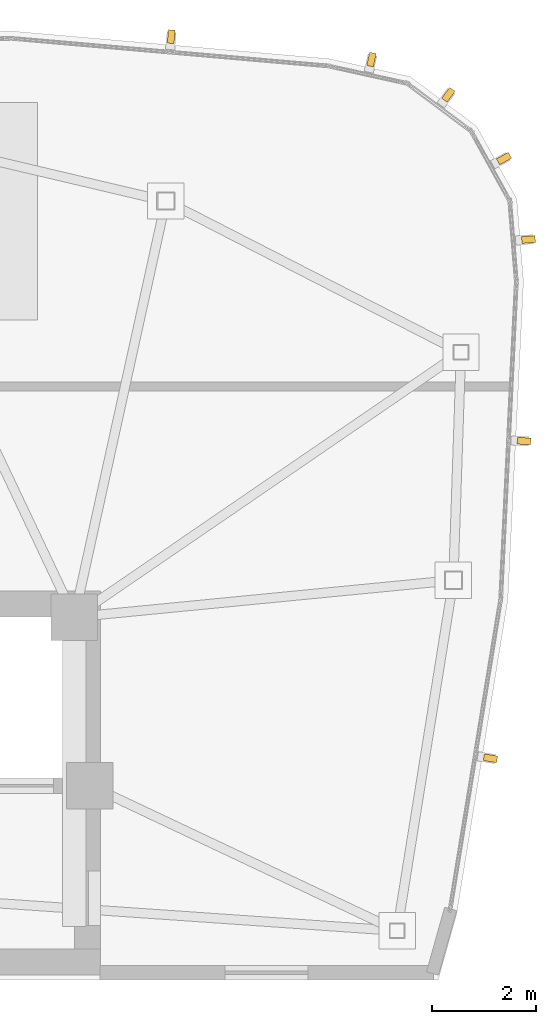
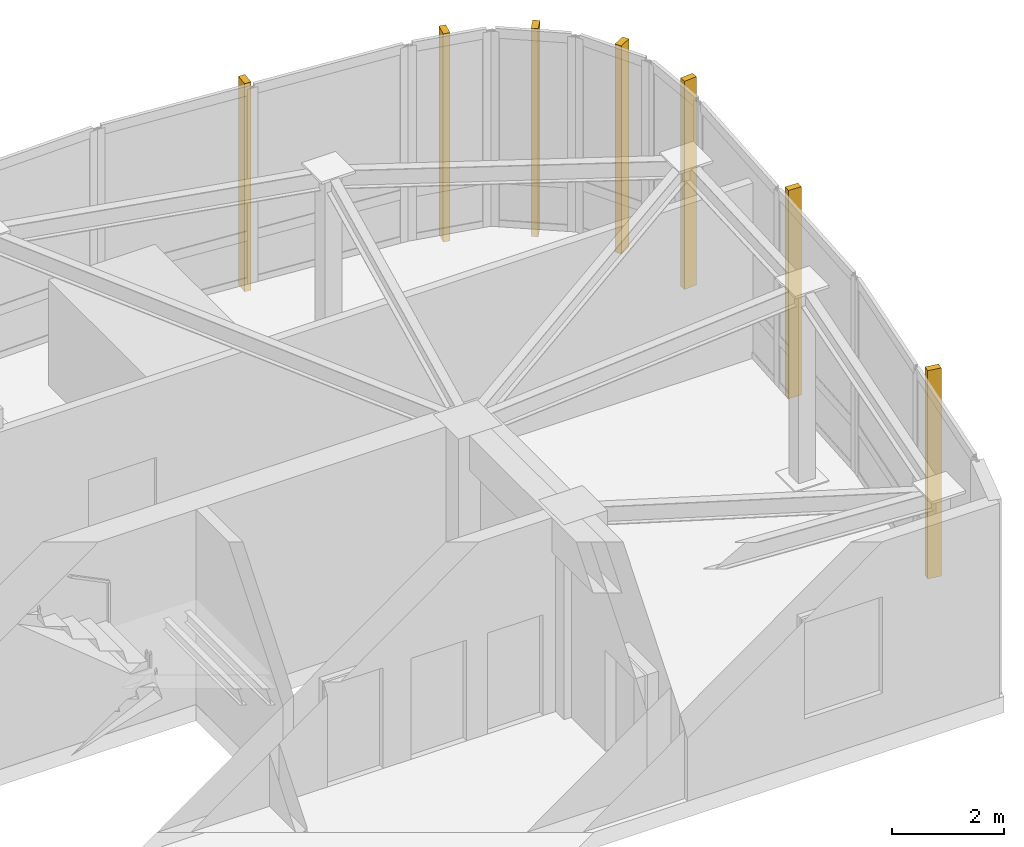
# One storey, part 9 of 10: 7 shading devices.
"""IFC4 building model written with IfcOpenShell, lengths in metres."""

import ifcopenshell
import ifcopenshell.guid

model = None  # the IFC model being written
_history = None  # IfcOwnerHistory: only IFC2X3 demands one
_inside = {}  # id of a spatial element -> (the spatial element, [elements in it])
_under = {}  # id of a project, library or spatial element -> (it, [spatial elements below it])
_declared = {}  # id of a project -> (the project, [libraries it declares])
_typed = {}  # id of a type object -> (the type object, [elements of that type])
_made_of = {}  # id of a material, layer set ... -> (it, [elements and type objects made of it])


def new_model(schema):
    """Start an empty IFC model of exactly this schema.

    Asked for "IFC4X3", IfcOpenShell would pick the latest addendum, in which some entities
    have other attributes; the version numbers below select the first issue.
    IFC2X3 requires an IfcOwnerHistory on every rooted entity: one is made here for all.
    """
    global model, _history
    if schema == "IFC4X3":
        model = ifcopenshell.file(schema_version=(4, 3, 0, 0))
    else:
        model = ifcopenshell.file(schema=schema)
    _inside.clear()
    _under.clear()
    _declared.clear()
    _typed.clear()
    _made_of.clear()
    _history = None
    if model.schema == "IFC2X3":
        org = make("IfcOrganization", Name="unknown")
        user = make(
            "IfcPersonAndOrganization",
            ThePerson=make("IfcPerson", FamilyName="unknown"),
            TheOrganization=org,
        )
        app = make(
            "IfcApplication",
            ApplicationDeveloper=org,
            Version="unknown",
            ApplicationFullName="unknown",
            ApplicationIdentifier="unknown",
        )
        _history = make(
            "IfcOwnerHistory",
            OwningUser=user,
            OwningApplication=app,
            ChangeAction="ADDED",
            CreationDate=0,
        )
    return model


def make(cls, **values):
    """One entity of the class cls with the attributes given. An attribute that is None is left unset."""
    return model.create_entity(
        cls, **{name: value for name, value in values.items() if value is not None}
    )


def rooted(cls, **values):
    """An entity with a GlobalId (a new one), such as an element, a storey or a relation."""
    return make(cls, GlobalId=ifcopenshell.guid.new(), OwnerHistory=_history, **values)


def si_unit(unit_type, name, prefix=None):
    """IfcSIUnit, for example si_unit("LENGTHUNIT", "METRE", prefix="MILLI")."""
    return make("IfcSIUnit", UnitType=unit_type, Prefix=prefix, Name=name)


def assignment(units):
    """IfcUnitAssignment: the units of a project."""
    return None if units is None else make("IfcUnitAssignment", Units=units)


def point(xyz):
    """IfcCartesianPoint."""
    return None if xyz is None else make("IfcCartesianPoint", Coordinates=xyz)


def direction(xyz):
    """IfcDirection."""
    return None if xyz is None else make("IfcDirection", DirectionRatios=xyz)


def frame(location, z_axis=None, x_axis=None):
    """IfcAxis2Placement3D, a coordinate frame: its origin and axes. An axis left out is left unset."""
    return make(
        "IfcAxis2Placement3D",
        Location=point(location),
        Axis=direction(z_axis),
        RefDirection=direction(x_axis),
    )


def frame_2d(location, x_axis=None):
    """IfcAxis2Placement2D, a coordinate frame in the plane: its origin and x axis."""
    return make(
        "IfcAxis2Placement2D", Location=point(location), RefDirection=direction(x_axis)
    )


def origin():
    """The frame at (0, 0, 0) with its axes left unset."""
    return frame((0.0, 0.0, 0.0))


def origin_2d():
    """The frame at (0, 0) in the plane with its x axis left unset."""
    return frame_2d((0.0, 0.0))


def place(relative_to, where):
    """IfcLocalPlacement: puts the frame where relative to a parent placement (None: the world)."""
    return make(
        "IfcLocalPlacement", PlacementRelTo=relative_to, RelativePlacement=where
    )


def context(
    kind, dimensions, precision=None, world=None, true_north=None, identifier=None
):
    """IfcGeometricRepresentationContext, for example the 3D "Model" context."""
    return make(
        "IfcGeometricRepresentationContext",
        ContextIdentifier=identifier,
        ContextType=kind,
        CoordinateSpaceDimension=dimensions,
        Precision=precision,
        WorldCoordinateSystem=world,
        TrueNorth=true_north,
    )


def subcontext(parent, identifier, kind, view, scale=None):
    """IfcGeometricRepresentationSubContext, for example "Body" below "Model"."""
    return make(
        "IfcGeometricRepresentationSubContext",
        ContextIdentifier=identifier,
        ContextType=kind,
        ParentContext=parent,
        TargetScale=scale,
        TargetView=view,
    )


def project(units=None, contexts=None):
    """IfcProject with its units and contexts."""
    return rooted(
        "IfcProject",
        Name="project",
        RepresentationContexts=contexts,
        UnitsInContext=assignment(units),
    )


def spatial(cls, under=None, at=None, **own):
    """A site, building, storey or space (cls), placed at a placement, below another one or the project."""
    s = rooted(cls, ObjectPlacement=at, **own)
    if under is not None:
        _under.setdefault(under.id(), (under, []))[1].append(s)
    return s


def profile(cls, at=None, kind="AREA", **sizes):
    """A parametric profile (cls). Its sizes go by their IFC names, for example OverallWidth=200.0."""
    return make(cls, ProfileType=kind, Position=at, **sizes)


def rectangle(**sizes):
    """IfcRectangleProfileDef."""
    return profile("IfcRectangleProfileDef", **sizes)


def extrude(swept, where, along, depth):
    """IfcExtrudedAreaSolid: the profile swept, set in the frame where, extruded along a direction by depth."""
    return make(
        "IfcExtrudedAreaSolid",
        SweptArea=swept,
        Position=where,
        ExtrudedDirection=direction(along),
        Depth=depth,
    )


def shape(context_of_items, identifier, shape_type, items):
    """IfcShapeRepresentation: the items that make up one representation, for example the "Body"."""
    return make(
        "IfcShapeRepresentation",
        ContextOfItems=context_of_items,
        RepresentationIdentifier=identifier,
        RepresentationType=shape_type,
        Items=items,
    )


def source(mapping_origin, context_of_items, identifier, shape_type, items):
    """IfcRepresentationMap: a shape defined once, which mapped items show again and again."""
    return make(
        "IfcRepresentationMap",
        MappingOrigin=mapping_origin,
        MappedRepresentation=shape(context_of_items, identifier, shape_type, items),
    )


def transform(
    local_origin,
    x_axis=None,
    y_axis=None,
    z_axis=None,
    scale=None,
    scale2=None,
    scale3=None,
    uniform=True,
):
    """IfcCartesianTransformationOperator3D, or its non-uniform kind. x_axis, y_axis, z_axis: its Axis1, 2, 3."""
    if uniform:
        return make(
            "IfcCartesianTransformationOperator3D",
            Axis1=direction(x_axis),
            Axis2=direction(y_axis),
            LocalOrigin=point(local_origin),
            Scale=scale,
            Axis3=direction(z_axis),
        )
    return make(
        "IfcCartesianTransformationOperator3DnonUniform",
        Axis1=direction(x_axis),
        Axis2=direction(y_axis),
        LocalOrigin=point(local_origin),
        Scale=scale,
        Axis3=direction(z_axis),
        Scale2=scale2,
        Scale3=scale3,
    )


def mapped(mapping_source, mapping_target):
    """IfcMappedItem: shows the shape of a source again, moved by a transform."""
    return make(
        "IfcMappedItem", MappingSource=mapping_source, MappingTarget=mapping_target
    )


def material(Name=None, Category=None):
    """IfcMaterial."""
    return make("IfcMaterial", Name=Name, Category=Category)


def made_of(thing, what):
    """Note that an element or type object is made of a material, layer set ...; save() writes the relation."""
    if what is not None:
        _made_of.setdefault(what.id(), (what, []))[1].append(thing)
    return thing


def type_object(cls, material=None, **own):
    """A type object (cls), such as IfcWallType, which elements share."""
    return made_of(rooted(cls, **own), material)


def type_shapes(of_type, sources):
    """Give a type object the sources (RepresentationMaps) that its elements show as mapped items."""
    of_type.RepresentationMaps = sources


def element(
    cls,
    number,
    at=None,
    inside=None,
    cuts=None,
    type_object=None,
    material=None,
    context=None,
    identifier="Body",
    shape_type=None,
    held_by="IfcProductDefinitionShape",
    body=None,
    shapes=None,
    **own,
):
    """One element of the class cls, such as IfcWall. Its Tag is "e" and its number.

    at: its placement. inside: the storey or other place that contains it. cuts: it is an
    opening in that element (IfcRelVoidsElement). A single representation is given by context,
    identifier, shape_type and body (its items); several are given by shapes. held_by: the class
    of the entity that holds the representations. save() writes the other relations.
    """
    e = rooted(cls, Tag="e%d" % number, ObjectPlacement=at, **own)
    if body is not None:
        shapes = [shape(context, identifier, shape_type, body)]
    if shapes is not None:
        e.Representation = make(held_by, Representations=shapes)
    if inside is not None:
        _inside.setdefault(inside.id(), (inside, []))[1].append(e)
    if cuts is not None:
        rooted(
            "IfcRelVoidsElement", RelatingBuildingElement=cuts, RelatedOpeningElement=e
        )
    if type_object is not None:
        _typed.setdefault(type_object.id(), (type_object, []))[1].append(e)
    return made_of(e, material)


def aggregate(whole, parts):
    """IfcRelAggregates: a whole, such as a stair, and the parts it consists of."""
    return rooted("IfcRelAggregates", RelatingObject=whole, RelatedObjects=parts)


def save(model, path):
    """Write the relations noted so far, then the file.

    IfcRelAggregates (storeys below a building ...), IfcRelContainedInSpatialStructure (elements
    in a storey), IfcRelDefinesByType, IfcRelAssociatesMaterial and IfcRelDeclares: one each for
    every whole, place, type object, material and project.
    """
    for whole, parts in _under.values():
        aggregate(whole, parts)
    for where, things in _inside.values():
        rooted(
            "IfcRelContainedInSpatialStructure",
            RelatedElements=things,
            RelatingStructure=where,
        )
    for kind, things in _typed.values():
        rooted("IfcRelDefinesByType", RelatedObjects=things, RelatingType=kind)
    for what, things in _made_of.values():
        rooted("IfcRelAssociatesMaterial", RelatedObjects=things, RelatingMaterial=what)
    for by, libraries in _declared.values():
        rooted("IfcRelDeclares", RelatingContext=by, RelatedDefinitions=libraries)
    model.write(path)


model = new_model("IFC4")

# Units and contexts
model_context = context("Model", 3, precision=1e-05, world=origin(), true_north=direction((0.0, 1.0)))
body_context = subcontext(model_context, "Body", "Model", "MODEL_VIEW")
ifc_project = project(units=[si_unit("LENGTHUNIT", "METRE"), si_unit("AREAUNIT", "SQUARE_METRE"), si_unit("VOLUMEUNIT", "CUBIC_METRE"), si_unit("PLANEANGLEUNIT", "RADIAN"), si_unit("MASSUNIT", "GRAM", prefix="KILO")], contexts=[model_context])

# Site, building, storey
site_placement = place(None, origin())
site = spatial("IfcSite", under=ifc_project, at=site_placement, CompositionType="ELEMENT")
building_placement = place(site_placement, origin())
building = spatial("IfcBuilding", under=site, at=building_placement, Name="Tavelor Broadcast Tower", CompositionType="ELEMENT")
storey_placement = place(building_placement, frame((0.0, 0.0, 350.5)))
storey = spatial("IfcBuildingStorey", under=building, at=storey_placement, Name="L83", CompositionType="ELEMENT", Elevation=350.5)

# Shading devices
ifc_material = material(Name="Kiln-Fired Glazed Terracotta", Category="masonry")
shading_device_type = type_object("IfcShadingDeviceType", Name="Extruded Terracotta Corner Baguette 130x260", PredefinedType="JALOUSIE", material=ifc_material)
shared_shape = source(origin(), body_context, "Body", "SweptSolid", [
    extrude(rectangle(XDim=0.1298828125, YDim=0.260009765625, at=origin_2d()), origin(), (0.0, 0.0, 1.0), 4.5400390625),
])
type_shapes(shading_device_type, [shared_shape])
for number, where, z_axis, x_axis, name in (
    (1, (64.62744140625, 48.475830078125, -0.31005859375), (0.0, 0.0, 1.0), (0.160742565604, 0.98699636656, 0.0), "L83 Terracotta Baguette Fin 840"),
    (2, (65.274658203125, 54.595947265625, -0.31005859375), (0.0, 0.0, 1.0), (0.049198415926, 0.998789024705, 0.0), "L83 Terracotta Baguette Fin 841"),
    (3, (65.360595703125, 58.48388671875, -0.31005859375), (0.0, 0.0, 1.0), (-0.081068747348, 0.996708512156, 0.0), "L83 Terracotta Baguette Fin 842"),
    (4, (64.888916015625, 60.046142578125, -0.31005859375), (0.0, 0.0, 1.0), (-0.484046186062, 0.875042450261, 0.0), "L83 Terracotta Baguette Fin 843"),
    (5, (63.81591796875, 61.27587890625, -0.31005859375), (0.0, 0.0, 1.0), (-0.801253812691, 0.598324600571, 0.0), "L83 Terracotta Baguette Fin 844"),
    (6, (62.332275390625, 61.955078125, -0.31005859375), (0.0, 0.0, 1.0), (-0.976484514545, 0.215587552642, 0.0), "L83 Terracotta Baguette Fin 845"),
    (7, (58.46875, 62.397705078125, -0.31005859375), (0.0, 0.0, 1.0), (-0.996225060493, 0.086807999895, 0.0), "L83 Terracotta Baguette Fin 846"),
):
    element("IfcShadingDevice", number, at=place(storey_placement, frame(where, z_axis=z_axis, x_axis=x_axis)), inside=storey, type_object=shading_device_type, Name=name, PredefinedType="JALOUSIE", context=body_context, shape_type="MappedRepresentation", body=[
        mapped(shared_shape, transform((0.0, 0.0, 0.0), scale=1.0)),
    ])

save(model, "model.ifc")
